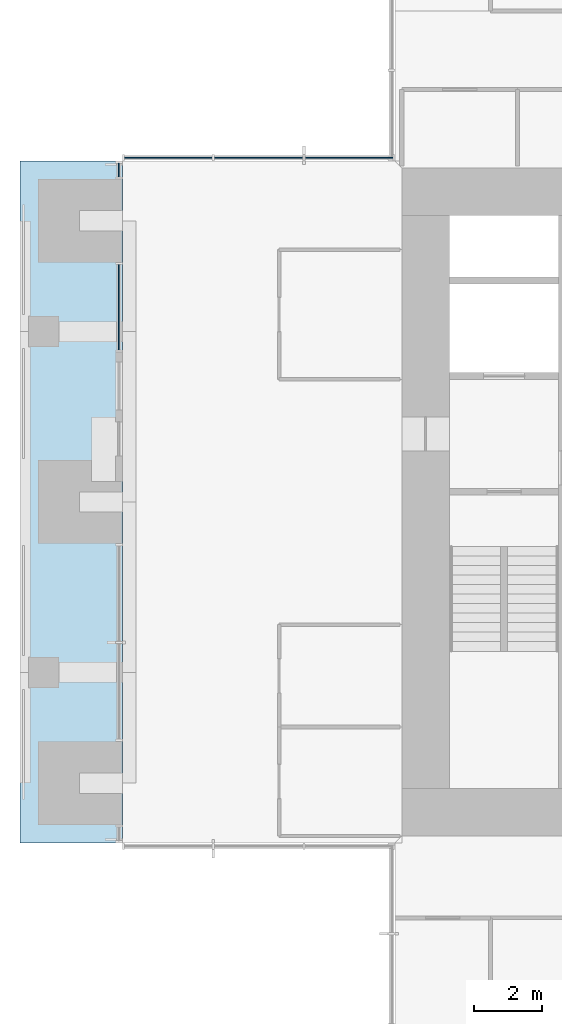
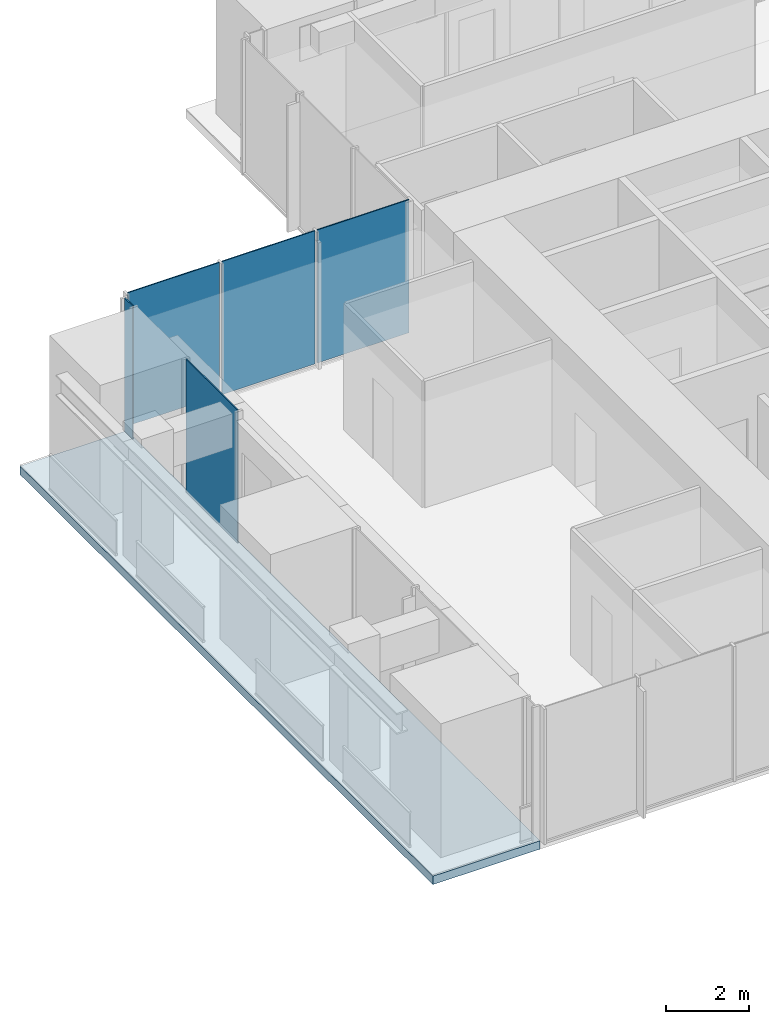
# One storey, part 8 of 17: 5 plates, 1 slab, 3 elements without a shape of their own.
"""IFC4 building model written with IfcOpenShell, lengths in metres."""

from ifc_helpers import new_model, si_unit, direction, frame, origin, origin_2d, place, context, subcontext, project, spatial, polyline, rectangle, outline, extrude, material, layer, layer_set, type_object, element, aggregate, save


model = new_model("IFC4")

# Units and contexts
model_context = context("Model", 3, precision=1e-05, world=origin(), true_north=direction((0.0, 1.0)))
body_context = subcontext(model_context, "Body", "Model", "MODEL_VIEW")
ifc_project = project(units=[si_unit("LENGTHUNIT", "METRE"), si_unit("AREAUNIT", "SQUARE_METRE"), si_unit("VOLUMEUNIT", "CUBIC_METRE"), si_unit("PLANEANGLEUNIT", "RADIAN"), si_unit("MASSUNIT", "GRAM", prefix="KILO")], contexts=[model_context])

# Site, building, storey
site_placement = place(None, origin())
site = spatial("IfcSite", under=ifc_project, at=site_placement, CompositionType="ELEMENT")
building_placement = place(site_placement, origin())
building = spatial("IfcBuilding", under=site, at=building_placement, Name="Svetlomir Tower", CompositionType="ELEMENT")
storey_placement = place(building_placement, frame((0.0, 0.0, 222.5)))
storey = spatial("IfcBuildingStorey", under=building, at=storey_placement, Name="L53", CompositionType="ELEMENT", Elevation=222.5)

# Curtain wall, plates
ifc_material_1 = material(Name="Bronze anodised aluminium curtain wall", Category="aluminium")
curtain_wall_type = type_object("IfcCurtainWallType", Name="CURTAIN WALL CW1 TOWER OFFICE", PredefinedType="NOTDEFINED", material=ifc_material_1)
curtain_wall_1_placement = place(storey_placement, origin())
curtain_wall_1 = element("IfcCurtainWall", 1, at=curtain_wall_1_placement, inside=storey, type_object=curtain_wall_type, Name="Curtain wall CW1 L53", PredefinedType="NOTDEFINED")
ifc_material_2 = material(Name="Tinted double glazed unit", Category="glass")
ifc_layer_1 = layer(ifc_material_2, 0.031982421875)
ifc_layer_set_1 = layer_set([ifc_layer_1], Name="Tinted double glazed unit")
plate_type = type_object("IfcPlateType", Name="CW1 GLAZED PANEL 32", PredefinedType="CURTAIN_PANEL", material=ifc_layer_set_1)
plate_1_placement = place(storey_placement, frame((9.650390625, 31.10009765625, 0.06494140625), z_axis=(0.0, 0.0, 1.0), x_axis=(-1.0, 0.0, 0.0)))
plate_1 = element("IfcPlate", 2, at=plate_1_placement, type_object=plate_type, Name="CW1 panel 1.1", PredefinedType="CURTAIN_PANEL", context=body_context, shape_type="SweptSolid", body=[
    extrude(rectangle(XDim=2.569091796875, YDim=0.031982421875, at=origin_2d()), origin(), (0.0, 0.0, 1.0), 3.93505859375),
])
plate_2_placement = place(storey_placement, frame((7.0, 31.10009765625, 0.06494140625), z_axis=(0.0, 0.0, 1.0), x_axis=(-1.0, 0.0, 0.0)))
plate_2 = element("IfcPlate", 3, at=plate_2_placement, type_object=plate_type, Name="CW1 panel 2.1", PredefinedType="CURTAIN_PANEL", context=body_context, shape_type="SweptSolid", body=[
    extrude(rectangle(XDim=2.6015625, YDim=0.031982421875, at=origin_2d()), origin(), (0.0, 0.0, 1.0), 3.93505859375),
])
plate_3_placement = place(storey_placement, frame((4.349609375, 31.10009765625, 0.06494140625), z_axis=(0.0, 0.0, 1.0), x_axis=(-1.0, 0.0, 0.0)))
plate_3 = element("IfcPlate", 4, at=plate_3_placement, type_object=plate_type, Name="CW1 panel 3.1", PredefinedType="CURTAIN_PANEL", context=body_context, shape_type="SweptSolid", body=[
    extrude(rectangle(XDim=2.569091796875, YDim=0.031982421875, at=origin_2d()), origin(), (0.0, 0.0, 1.0), 3.93505859375),
])
aggregate(curtain_wall_1, [plate_1, plate_2, plate_3])

# Curtain wall, plate
curtain_wall_2_placement = place(storey_placement, origin())
curtain_wall_2 = element("IfcCurtainWall", 5, at=curtain_wall_2_placement, inside=storey, type_object=curtain_wall_type, Name="Curtain wall CW1 L53", PredefinedType="NOTDEFINED")
plate_4_placement = place(storey_placement, frame((2.89990234375, 30.737548828125, 0.06494140625), z_axis=(0.0, 0.0, 1.0), x_axis=(0.0, -1.0, 0.0)))
plate_4 = element("IfcPlate", 6, at=plate_4_placement, type_object=plate_type, Name="CW1 panel 1.1", PredefinedType="CURTAIN_PANEL", context=body_context, shape_type="SweptSolid", body=[
    extrude(rectangle(XDim=0.39501953125, YDim=0.031982421875, at=origin_2d()), origin(), (0.0, 0.0, 1.0), 3.93505859375),
])
aggregate(curtain_wall_2, [plate_4])

curtain_wall_3_placement = place(storey_placement, origin())
curtain_wall_3 = element("IfcCurtainWall", 7, at=curtain_wall_3_placement, inside=storey, type_object=curtain_wall_type, Name="Curtain wall CW1 L53", PredefinedType="NOTDEFINED")
plate_5_placement = place(storey_placement, frame((2.89990234375, 26.71240234375, 0.06494140625), z_axis=(0.0, 0.0, 1.0), x_axis=(0.0, -1.0, 0.0)))
plate_5 = element("IfcPlate", 8, at=plate_5_placement, type_object=plate_type, Name="CW1 panel 1.1", PredefinedType="CURTAIN_PANEL", context=body_context, shape_type="SweptSolid", body=[
    extrude(rectangle(XDim=2.4951171875, YDim=0.031982421875, at=origin_2d()), origin(), (0.0, 0.0, 1.0), 3.93505859375),
])
aggregate(curtain_wall_3, [plate_5])

# Slab
ifc_material_3 = material(Name="Concrete C60/75", Category="concrete")
ifc_layer_2 = layer(ifc_material_3, 0.25)
ifc_layer_set_2 = layer_set([ifc_layer_2], Name="Concrete C60/75")
slab_type = type_object("IfcSlabType", Name="PLANTED LOGGIA SLAB 250", PredefinedType="FLOOR", material=ifc_layer_set_2)
slab_placement = place(storey_placement, frame((0.0, 0.0, -0.25)))
element("IfcSlab", 9, at=slab_placement, inside=storey, type_object=slab_type, Name="L53 W planted loggia", PredefinedType="FLOOR", context=body_context, shape_type="SweptSolid", body=[
    extrude(outline(polyline([(0.0, 11.0), (3.0, 11.0), (3.0, 31.0), (0.0, 31.0), (0.0, 11.0)])), origin(), (0.0, 0.0, 1.0), 0.25),
])

save(model, "model.ifc")
